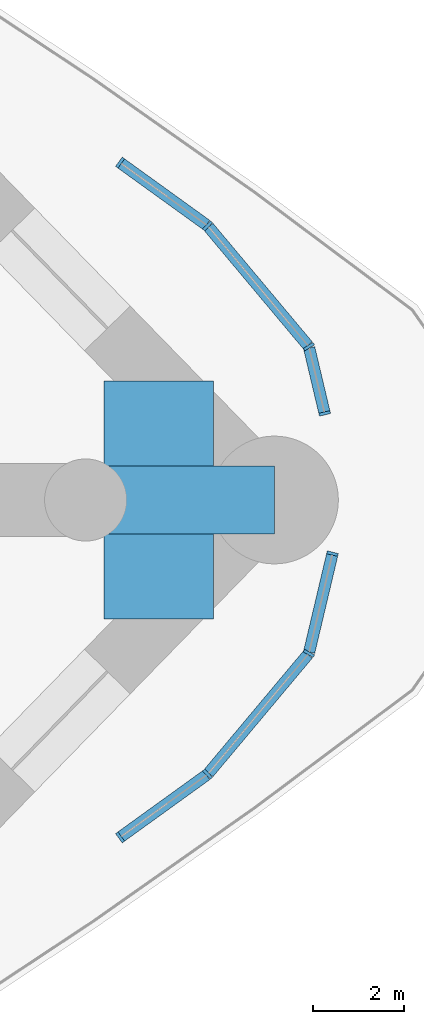
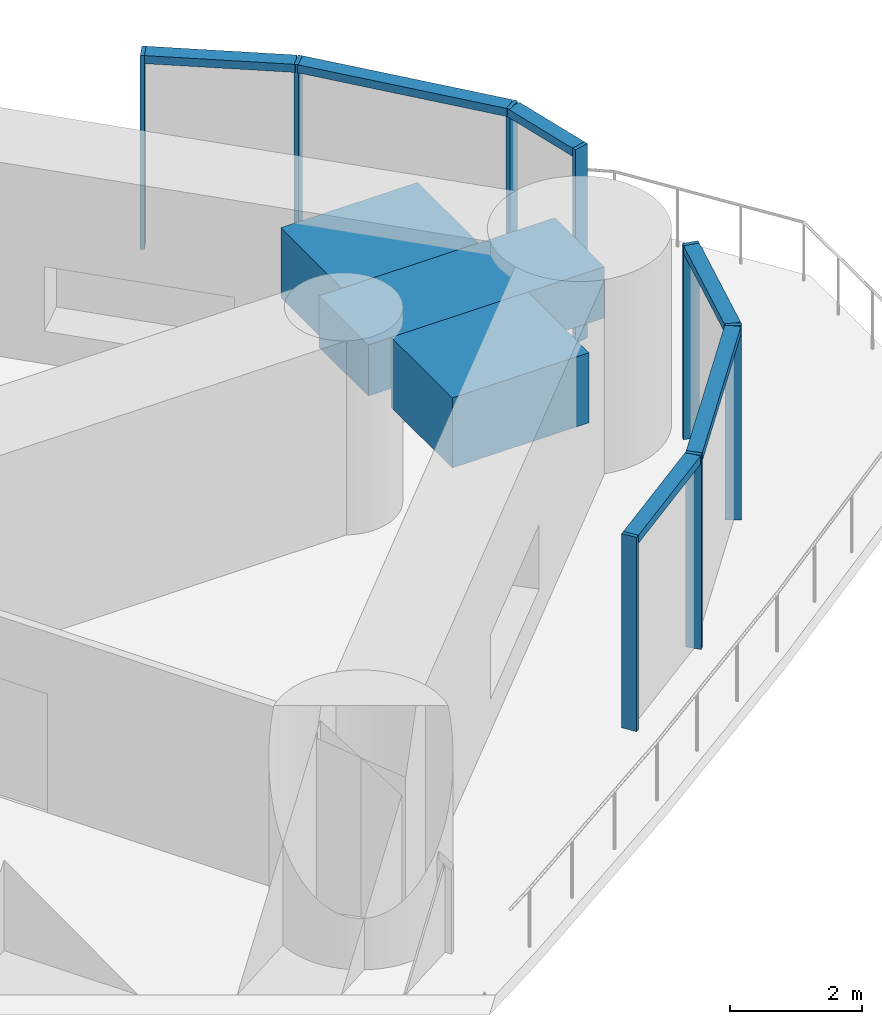
# One storey, part 8 of 17: 14 members, 3 beams, 2 elements without a shape of their own.
"""IFC4 building model written with IfcOpenShell, lengths in metres."""

from ifc_helpers import new_model, si_unit, direction, frame, origin, origin_2d, place, context, subcontext, project, spatial, rectangle, extrude, material, material_profile, profile_set, type_object, element, aggregate, save


model = new_model("IFC4")

# Units and contexts
model_context = context("Model", 3, precision=1e-05, world=origin(), true_north=direction((0.0, 1.0)))
body_context = subcontext(model_context, "Body", "Model", "MODEL_VIEW")
ifc_project = project(units=[si_unit("LENGTHUNIT", "METRE"), si_unit("AREAUNIT", "SQUARE_METRE"), si_unit("VOLUMEUNIT", "CUBIC_METRE"), si_unit("PLANEANGLEUNIT", "RADIAN"), si_unit("MASSUNIT", "GRAM", prefix="KILO")], contexts=[model_context])

# Site, building, storey
site_placement = place(None, origin())
site = spatial("IfcSite", under=ifc_project, at=site_placement, CompositionType="ELEMENT")
building_placement = place(site_placement, origin())
building = spatial("IfcBuilding", under=site, at=building_placement, Name="Lancet Gate Hotel", CompositionType="ELEMENT")
storey_placement = place(building_placement, frame((0.0, 0.0, 152.699951171875)))
storey = spatial("IfcBuildingStorey", under=building, at=storey_placement, Name="L40", CompositionType="ELEMENT", Elevation=152.699951171875)

# Curtain wall, members
ifc_material_1 = material(Name="Aluminium curtain wall", Category="aluminium")
curtain_wall_type = type_object("IfcCurtainWallType", Name="Tower unitised curtain wall", PredefinedType="USERDEFINED", material=ifc_material_1)
curtain_wall_1_placement = place(storey_placement, origin())
curtain_wall_1 = element("IfcCurtainWall", 1, at=curtain_wall_1_placement, inside=storey, type_object=curtain_wall_type, Name="T2 L40 curtain wall 5", ObjectType="UNITISED CURTAIN WALL", PredefinedType="USERDEFINED")
ifc_material_2 = material(Name="Aluminium mullion", Category="aluminium")
ifc_material_profile_1 = material_profile(ifc_material_2, rectangle(XDim=0.06494140625, YDim=0.25, at=origin_2d()), Name="MULLION 65x250")
ifc_profile_set_1 = profile_set([ifc_material_profile_1], Name="Aluminium mullion")
member_type_1 = type_object("IfcMemberType", Name="Aluminium mullion 65x250", PredefinedType="MULLION", material=ifc_profile_set_1)
member_1_placement = place(storey_placement, frame((62.25537109375, -7.396240234375, 0.0), z_axis=(0.0, 0.0, 1.0), x_axis=(0.810891442127, 0.585196607206, 0.0)))
member_1 = element("IfcMember", 2, at=member_1_placement, type_object=member_type_1, Name="T2 L40 curtain wall 5 mullion 1", PredefinedType="MULLION", context=body_context, shape_type="SweptSolid", body=[
    extrude(rectangle(XDim=0.06494140625, YDim=0.25, at=origin_2d()), origin(), (0.0, 0.0, 1.0), 3.60009765625),
])
member_2_placement = place(storey_placement, frame((64.174560546875, -6.01123046875, 0.0), z_axis=(0.0, 0.0, 1.0), x_axis=(0.716088523571, 0.698009474441, 0.0)))
member_2 = element("IfcMember", 3, at=member_2_placement, type_object=member_type_1, Name="T2 L40 curtain wall 5 mullion 2", PredefinedType="MULLION", context=body_context, shape_type="SweptSolid", body=[
    extrude(rectangle(XDim=0.06494140625, YDim=0.25, at=origin_2d()), origin(), (0.0, 0.0, 1.0), 3.60009765625),
])
member_3_placement = place(storey_placement, frame((66.3935546875, -3.362548828125, 0.0), z_axis=(0.0, 0.0, 1.0), x_axis=(0.492565483222, 0.870275384426, 0.0)))
member_3 = element("IfcMember", 4, at=member_3_placement, type_object=member_type_1, Name="T2 L40 curtain wall 5 mullion 3", PredefinedType="MULLION", context=body_context, shape_type="SweptSolid", body=[
    extrude(rectangle(XDim=0.06494140625, YDim=0.25, at=origin_2d()), origin(), (0.0, 0.0, 1.0), 3.60009765625),
])
member_4_placement = place(storey_placement, frame((66.9111328125, -1.176025390625, 0.0), z_axis=(0.0, 0.0, 1.0), x_axis=(0.230366568544, 0.973103922558, 0.0)))
member_4 = element("IfcMember", 5, at=member_4_placement, type_object=member_type_1, Name="T2 L40 curtain wall 5 mullion 4", PredefinedType="MULLION", context=body_context, shape_type="SweptSolid", body=[
    extrude(rectangle(XDim=0.06494140625, YDim=0.25, at=origin_2d()), origin(), (0.0, 0.0, 1.0), 3.60009765625),
])

curtain_wall_2_placement = place(storey_placement, origin())
curtain_wall_2 = element("IfcCurtainWall", 6, at=curtain_wall_2_placement, inside=storey, type_object=curtain_wall_type, Name="T2 L40 curtain wall 6", ObjectType="UNITISED CURTAIN WALL", PredefinedType="USERDEFINED")
member_5_placement = place(storey_placement, frame((66.740234375, 1.898681640625, 0.0), z_axis=(0.0, 0.0, 1.0), x_axis=(-0.230366568544, 0.973103922558, 0.0)))
member_5 = element("IfcMember", 7, at=member_5_placement, type_object=member_type_1, Name="T2 L40 curtain wall 6 mullion 1", PredefinedType="MULLION", context=body_context, shape_type="SweptSolid", body=[
    extrude(rectangle(XDim=0.06494140625, YDim=0.25, at=origin_2d()), origin(), (0.0, 0.0, 1.0), 3.60009765625),
])
member_6_placement = place(storey_placement, frame((66.3935546875, 3.362548828125, 0.0), z_axis=(0.0, 0.0, 1.0), x_axis=(-0.529302182476, 0.848433379604, 0.0)))
member_6 = element("IfcMember", 8, at=member_6_placement, type_object=member_type_1, Name="T2 L40 curtain wall 6 mullion 2", PredefinedType="MULLION", context=body_context, shape_type="SweptSolid", body=[
    extrude(rectangle(XDim=0.06494140625, YDim=0.25, at=origin_2d()), origin(), (0.0, 0.0, 1.0), 3.60009765625),
])
member_7_placement = place(storey_placement, frame((64.174560546875, 6.01123046875, 0.0), z_axis=(0.0, 0.0, 1.0), x_axis=(-0.716088523571, 0.698009474441, 0.0)))
member_7 = element("IfcMember", 9, at=member_7_placement, type_object=member_type_1, Name="T2 L40 curtain wall 6 mullion 3", PredefinedType="MULLION", context=body_context, shape_type="SweptSolid", body=[
    extrude(rectangle(XDim=0.06494140625, YDim=0.25, at=origin_2d()), origin(), (0.0, 0.0, 1.0), 3.60009765625),
])
member_8_placement = place(storey_placement, frame((62.25537109375, 7.396240234375, 0.0), z_axis=(0.0, 0.0, 1.0), x_axis=(-0.810891442127, 0.585196607206, 0.0)))
member_8 = element("IfcMember", 10, at=member_8_placement, type_object=member_type_1, Name="T2 L40 curtain wall 6 mullion 4", PredefinedType="MULLION", context=body_context, shape_type="SweptSolid", body=[
    extrude(rectangle(XDim=0.06494140625, YDim=0.25, at=origin_2d()), origin(), (0.0, 0.0, 1.0), 3.60009765625),
])

# Member
ifc_material_3 = material(Name="Aluminium transom", Category="aluminium")
ifc_material_profile_2 = material_profile(ifc_material_3, rectangle(XDim=0.25, YDim=0.14990234375, at=origin_2d()), Name="TRANSOM 250x150")
ifc_profile_set_2 = profile_set([ifc_material_profile_2], Name="Aluminium transom")
member_type_2 = type_object("IfcMemberType", Name="Aluminium transom 250x150", PredefinedType="USERDEFINED", material=ifc_profile_set_2)
member_9_placement = place(storey_placement, frame((62.28173828125, -7.377197265625, 3.525146484375), z_axis=(0.810900130539, 0.585184567715, 0.0), x_axis=(-0.585184567715, 0.810900130539, 0.0)))
member_9 = element("IfcMember", 11, at=member_9_placement, type_object=member_type_2, Name="T2 L40 curtain wall 5 transom 1", ObjectType="TRANSOM", PredefinedType="USERDEFINED", context=body_context, shape_type="SweptSolid", body=[
    extrude(rectangle(XDim=0.25, YDim=0.14990234375, at=origin_2d()), origin(), (0.0, 0.0, 1.0), 2.3017578125),
])

member_10_placement = place(storey_placement, frame((64.1953125, -5.986328125, 3.525146484375), z_axis=(0.642229010215, 0.766512816878, 0.0), x_axis=(-0.766512816878, 0.642229010215, 0.0)))
member_10 = element("IfcMember", 12, at=member_10_placement, type_object=member_type_2, Name="T2 L40 curtain wall 5 transom 2", ObjectType="TRANSOM", PredefinedType="USERDEFINED", context=body_context, shape_type="SweptSolid", body=[
    extrude(rectangle(XDim=0.25, YDim=0.14990234375, at=origin_2d()), origin(), (0.0, 0.0, 1.0), 3.390625),
])

member_11_placement = place(storey_placement, frame((66.401123046875, -3.3310546875, 3.525146484375), z_axis=(0.230354872113, 0.973106691424, 0.0), x_axis=(-0.973106691424, 0.230354872113, 0.0)))
member_11 = element("IfcMember", 13, at=member_11_placement, type_object=member_type_2, Name="T2 L40 curtain wall 5 transom 3", ObjectType="TRANSOM", PredefinedType="USERDEFINED", context=body_context, shape_type="SweptSolid", body=[
    extrude(rectangle(XDim=0.25, YDim=0.14990234375, at=origin_2d()), origin(), (0.0, 0.0, 1.0), 2.18212890625),
])

aggregate(curtain_wall_1, [member_1, member_2, member_3, member_4, member_9, member_10, member_11])

member_12_placement = place(storey_placement, frame((66.732666015625, 1.930419921875, 3.525146484375), z_axis=(-0.230343810825, 0.973109309797, 0.0), x_axis=(-0.973109309797, -0.230343810825, 0.0)))
member_12 = element("IfcMember", 14, at=member_12_placement, type_object=member_type_2, Name="T2 L40 curtain wall 6 transom 1", ObjectType="TRANSOM", PredefinedType="USERDEFINED", context=body_context, shape_type="SweptSolid", body=[
    extrude(rectangle(XDim=0.25, YDim=0.14990234375, at=origin_2d()), origin(), (0.0, 0.0, 1.0), 1.439453125),
])

member_13_placement = place(storey_placement, frame((66.372802734375, 3.387451171875, 3.525146484375), z_axis=(-0.642229010215, 0.766512816878, 0.0), x_axis=(-0.766512816878, -0.642229010215, 0.0)))
member_13 = element("IfcMember", 15, at=member_13_placement, type_object=member_type_2, Name="T2 L40 curtain wall 6 transom 2", ObjectType="TRANSOM", PredefinedType="USERDEFINED", context=body_context, shape_type="SweptSolid", body=[
    extrude(rectangle(XDim=0.25, YDim=0.14990234375, at=origin_2d()), origin(), (0.0, 0.0, 1.0), 3.390625),
])

member_14_placement = place(storey_placement, frame((64.148193359375, 6.0302734375, 3.525146484375), z_axis=(-0.810900130539, 0.585184567715, 0.0), x_axis=(-0.585184567715, -0.810900130539, 0.0)))
member_14 = element("IfcMember", 16, at=member_14_placement, type_object=member_type_2, Name="T2 L40 curtain wall 6 transom 3", ObjectType="TRANSOM", PredefinedType="USERDEFINED", context=body_context, shape_type="SweptSolid", body=[
    extrude(rectangle(XDim=0.25, YDim=0.14990234375, at=origin_2d()), origin(), (0.0, 0.0, 1.0), 2.3017578125),
])

aggregate(curtain_wall_2, [member_5, member_6, member_7, member_8, member_12, member_13, member_14])

# Beams
ifc_material_4 = material(Name="Concrete C50/60", Category="concrete")
ifc_material_profile_3 = material_profile(ifc_material_4, rectangle(XDim=2.39990234375, YDim=1.300048828125, at=origin_2d()), Name="RC 2400x1300")
ifc_profile_set_3 = profile_set([ifc_material_profile_3], Name="Concrete C50/60")
beam_type_1 = type_object("IfcBeamType", Name="Floor beam RC 2400x1300", PredefinedType="BEAM", material=ifc_profile_set_3)
for number, where, z_axis, x_axis, name in (
    (17, (63.102294921875, -2.605712890625, 2.699951171875), (0.0, 1.0, 0.0), (-1.0, 0.0, 0.0), "T2 floor beam F10S L40"),
    (18, (63.102294921875, 0.75, 2.699951171875), (0.0, 1.0, 0.0), (-1.0, 0.0, 0.0), "T2 floor beam F11N L40"),
):
    element("IfcBeam", number, at=place(storey_placement, frame(where, z_axis=z_axis, x_axis=x_axis)), inside=storey, type_object=beam_type_1, Name=name, PredefinedType="BEAM", context=body_context, shape_type="SweptSolid", body=[
        extrude(rectangle(XDim=2.39990234375, YDim=1.300048828125, at=origin_2d()), origin(), (0.0, 0.0, 1.0), 1.855712890625),
    ])
ifc_material_5 = material(Name="Concrete C50/60", Category="concrete")
ifc_material_profile_4 = material_profile(ifc_material_5, rectangle(XDim=1.5, YDim=0.949951171875, at=origin_2d()), Name="RC 1500x950")
ifc_profile_set_4 = profile_set([ifc_material_profile_4], Name="Concrete C50/60")
beam_type_2 = type_object("IfcBeamType", Name="Radial floor beam RC 1500x950", PredefinedType="BEAM", material=ifc_profile_set_4)
beam_placement = place(storey_placement, frame((65.6396484375, 0.0, 2.875), z_axis=(-1.0, 0.0, 0.0), x_axis=(0.0, -1.0, 0.0)))
element("IfcBeam", 19, at=beam_placement, inside=storey, type_object=beam_type_2, Name="T2 radial beam CA L40", PredefinedType="BEAM", context=body_context, shape_type="SweptSolid", body=[
    extrude(rectangle(XDim=1.5, YDim=0.949951171875, at=origin_2d()), origin(), (0.0, 0.0, 1.0), 4.1396484375),
])

save(model, "model.ifc")
